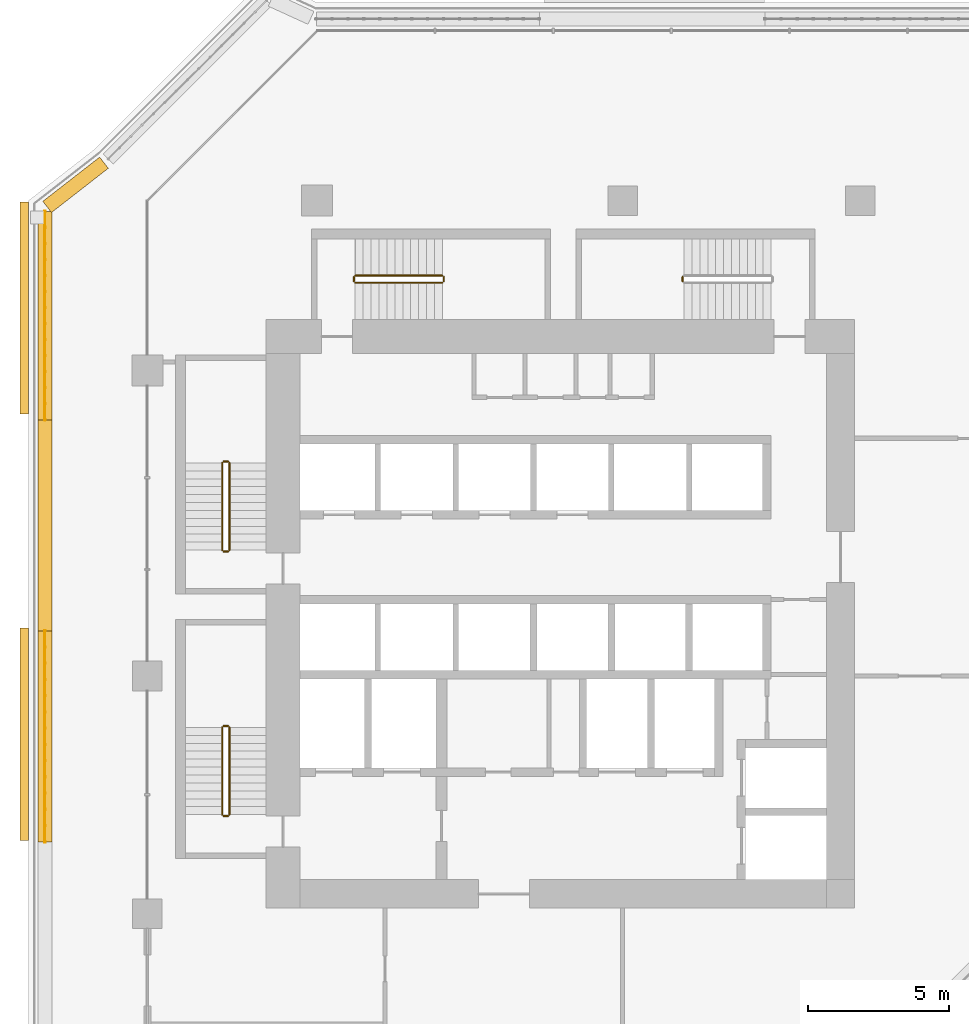
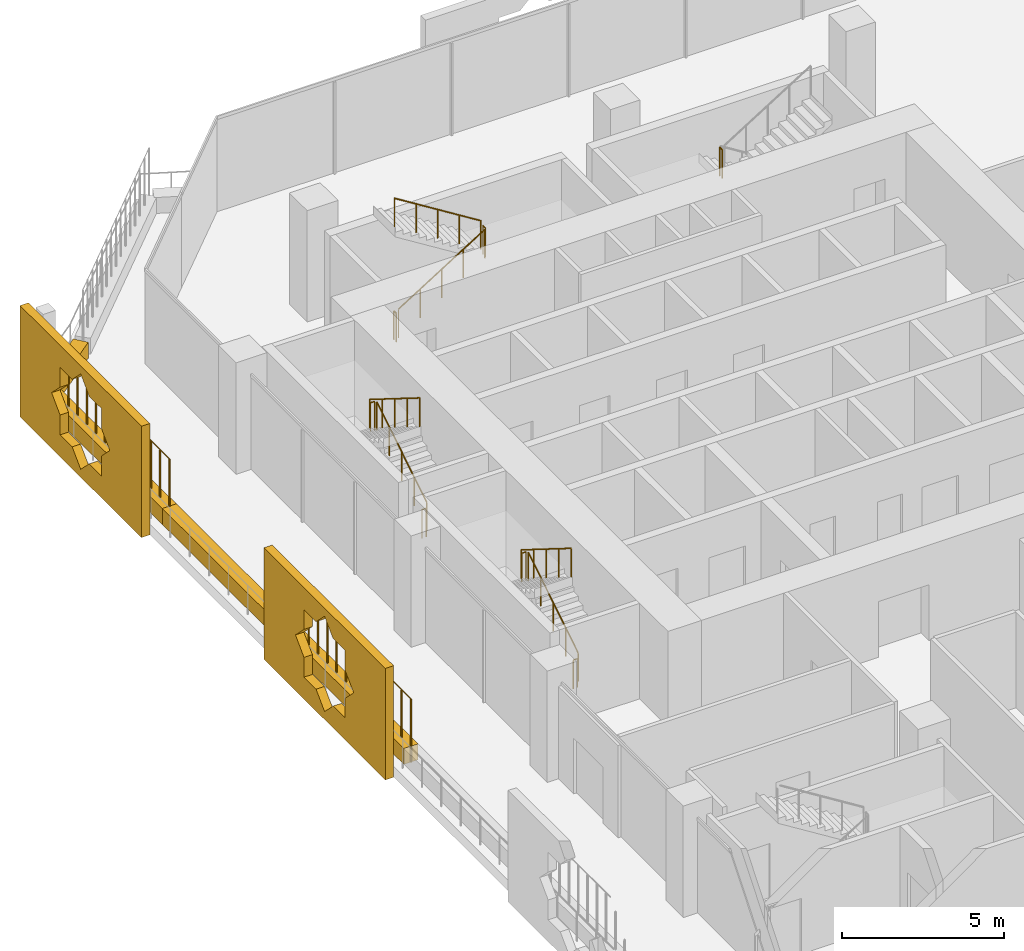
# One storey, part 22 of 27: 15 railings, 6 coverings.
"""IFC4 building model written with IfcOpenShell, lengths in metres."""

from ifc_helpers import new_model, si_unit, direction, frame, origin, origin_2d, place, context, subcontext, project, spatial, polyline, rectangle, circle, outline, extrude, material, material_profile, profile_set, type_object, element, save


model = new_model("IFC4")

# Units and contexts
model_context = context("Model", 3, precision=1e-05, world=origin(), true_north=direction((0.0, 1.0)))
body_context = subcontext(model_context, "Body", "Model", "MODEL_VIEW")
ifc_project = project(units=[si_unit("LENGTHUNIT", "METRE"), si_unit("AREAUNIT", "SQUARE_METRE"), si_unit("VOLUMEUNIT", "CUBIC_METRE"), si_unit("PLANEANGLEUNIT", "RADIAN"), si_unit("MASSUNIT", "GRAM", prefix="KILO")], contexts=[model_context])

# Site, building, storey
site_placement = place(None, origin())
site = spatial("IfcSite", under=ifc_project, at=site_placement, CompositionType="ELEMENT")
building_placement = place(site_placement, origin())
building = spatial("IfcBuilding", under=site, at=building_placement, Name="Kawkab Arch Medical Tower", CompositionType="ELEMENT")
storey_placement = place(building_placement, frame((0.0, 0.0, 115.60009765625)))
storey = spatial("IfcBuildingStorey", under=building, at=storey_placement, Name="L26", CompositionType="ELEMENT", Elevation=115.60009765625)

# Coverings
ifc_material_1 = material(Name="Bronze anodised aluminium mashrabiya panel, eight-point star pattern", Category="aluminium")
ifc_material_profile_1 = material_profile(ifc_material_1, outline(polyline([(-3.75, -2.10009765625), (3.75, -2.10009765625), (3.75, 2.10009765625), (-3.75, 2.10009765625), (-3.75, -2.10009765625)]), holes=[polyline([(1.800048828125, 0.0), (1.272705078125, 0.527099609375), (1.272705078125, 1.272705078125), (0.527099609375, 1.272705078125), (0.0, 1.800048828125), (-0.527099609375, 1.272705078125), (-1.272705078125, 1.272705078125), (-1.272705078125, 0.527099609375), (-1.800048828125, 0.0), (-1.272705078125, -0.527099609375), (-1.272705078125, -1.272705078125), (-0.527099609375, -1.272705078125), (0.0, -1.800048828125), (0.527099609375, -1.272705078125), (1.272705078125, -1.272705078125), (1.272705078125, -0.527099609375), (1.800048828125, 0.0)])]), Name="Mashrabiya panel 7500x4200")
ifc_profile_set_1 = profile_set([ifc_material_profile_1], Name="Bronze anodised aluminium mashrabiya panel, eight-point star pattern")
covering_type_1 = type_object("IfcCoveringType", Name="Mashrabiya panel 7500 x 4200", PredefinedType="USERDEFINED", material=ifc_profile_set_1)
for number, where, z_axis, x_axis, name in (
    (1, (-4.199951171875, -18.8583984375, 1.699951171875), (-1.0, 0.0, 0.0), (0.0, -1.0, 0.0), "Mashrabiya panel L26.LOG-01-01.4"),
    (2, (-4.199951171875, -3.795654296875, 1.699951171875), (-1.0, 0.0, 0.0), (0.0, -1.0, 0.0), "Mashrabiya panel L26.LOG-01-01.5"),
):
    element("IfcCovering", number, at=place(storey_placement, frame(where, z_axis=z_axis, x_axis=x_axis)), inside=storey, type_object=covering_type_1, Name=name, ObjectType="SCREEN", PredefinedType="USERDEFINED", context=body_context, shape_type="SweptSolid", body=[
        extrude(outline(polyline([(-3.75, -2.10009765625), (3.75, -2.10009765625), (3.75, 2.10009765625), (-3.75, 2.10009765625), (-3.75, -2.10009765625)]), holes=[polyline([(1.800048828125, 0.0), (1.272705078125, 0.527099609375), (1.272705078125, 1.272705078125), (0.527099609375, 1.272705078125), (0.0, 1.800048828125), (-0.527099609375, 1.272705078125), (-1.272705078125, 1.272705078125), (-1.272705078125, 0.527099609375), (-1.800048828125, 0.0), (-1.272705078125, -0.527099609375), (-1.272705078125, -1.272705078125), (-0.527099609375, -1.272705078125), (0.0, -1.800048828125), (0.527099609375, -1.272705078125), (1.272705078125, -1.272705078125), (1.272705078125, -0.527099609375), (1.800048828125, 0.0)])]), origin(), (0.0, 0.0, 1.0), 0.300048828125),
    ])
ifc_material_2 = material(Name="Planting soil in a precast trough", Category="concrete")
ifc_material_profile_2 = material_profile(ifc_material_2, rectangle(XDim=0.5, YDim=0.60009765625, at=origin_2d()), Name="Trough 500x600")
ifc_profile_set_2 = profile_set([ifc_material_profile_2], Name="Planting soil in a precast trough")
covering_type_2 = type_object("IfcCoveringType", Name="Planter trough 500 x 600", PredefinedType="USERDEFINED", material=ifc_profile_set_2)
for number, where, z_axis, x_axis, name in (
    (3, (-3.6201171875, -22.6689453125, 0.2998046875), (0.0, 1.0, 0.0), (-1.0, 0.0, 0.0), "Planter L26.LOG-01-01.11"),
    (4, (-3.6201171875, -15.20703125, 0.2998046875), (0.0, 1.0, 0.0), (-1.0, 0.0, 0.0), "Planter L26.LOG-01-01.12"),
):
    element("IfcCovering", number, at=place(storey_placement, frame(where, z_axis=z_axis, x_axis=x_axis)), inside=storey, type_object=covering_type_2, Name=name, ObjectType="PLANTER", PredefinedType="USERDEFINED", context=body_context, shape_type="SweptSolid", body=[
        extrude(rectangle(XDim=0.5, YDim=0.60009765625, at=origin_2d()), origin(), (0.0, 0.0, 1.0), 7.4619140625),
    ])
covering_1_placement = place(storey_placement, frame((-3.6201171875, -7.7451171875, 0.2998046875), z_axis=(0.0, 1.0, 0.0), x_axis=(-1.0, 0.0, 0.0)))
element("IfcCovering", 5, at=covering_1_placement, inside=storey, type_object=covering_type_2, Name="Planter L26.LOG-01-01.13", ObjectType="PLANTER", PredefinedType="USERDEFINED", context=body_context, shape_type="SweptSolid", body=[
    extrude(rectangle(XDim=0.5, YDim=0.60009765625, at=origin_2d()), origin(), (0.0, 0.0, 1.0), 7.361083984375),
])
covering_2_placement = place(storey_placement, frame((-3.541015625, -0.221923828125, 0.2998046875), z_axis=(0.789274742246, 0.61404021143, 0.0), x_axis=(-0.61404021143, 0.789274742246, 0.0)))
element("IfcCovering", 6, at=covering_2_placement, inside=storey, type_object=covering_type_2, Name="Planter L26.LOG-01-01.14", ObjectType="PLANTER", PredefinedType="USERDEFINED", context=body_context, shape_type="SweptSolid", body=[
    extrude(rectangle(XDim=0.5, YDim=0.60009765625, at=origin_2d()), origin(), (0.0, 0.0, 1.0), 2.54541015625),
])

# Railings
ifc_material_3 = material(Name="Bronze anodised aluminium trellis for climbing plants", Category="aluminium")
railing_type_1 = type_object("IfcRailingType", Name="Planting trellis 2400", PredefinedType="USERDEFINED", material=ifc_material_3)
railing_1_placement = place(storey_placement, frame((-3.6201171875, -22.6689453125, 0.0)))
element("IfcRailing", 7, at=railing_1_placement, inside=storey, type_object=railing_type_1, Name="Planting trellis L26.LOG-01-01.11", ObjectType="TRELLIS", PredefinedType="USERDEFINED", context=body_context, shape_type="SweptSolid", body=[
    extrude(circle(Radius=0.01513671875, at=origin_2d()), frame((0.0, 0.0, 2.384765625), z_axis=(0.0, 1.0, 0.0), x_axis=(-1.0, 0.0, 0.0)), (0.0, 0.0, 1.0), 7.4619140625),
    extrude(circle(Radius=0.030029296875, at=origin_2d()), origin(), (0.0, 0.0, 1.0), 2.369873046875),
    extrude(circle(Radius=0.030029296875, at=origin_2d()), frame((0.0, 0.573974609375, 0.0)), (0.0, 0.0, 1.0), 2.369873046875),
    extrude(circle(Radius=0.030029296875, at=origin_2d()), frame((0.0, 1.14794921875, 0.0)), (0.0, 0.0, 1.0), 2.369873046875),
    extrude(circle(Radius=0.030029296875, at=origin_2d()), frame((0.0, 1.721923828125, 0.0)), (0.0, 0.0, 1.0), 2.369873046875),
    extrude(circle(Radius=0.030029296875, at=origin_2d()), frame((0.0, 2.2958984375, 0.0)), (0.0, 0.0, 1.0), 2.369873046875),
    extrude(circle(Radius=0.030029296875, at=origin_2d()), frame((0.0, 2.869873046875, 0.0)), (0.0, 0.0, 1.0), 2.369873046875),
    extrude(circle(Radius=0.030029296875, at=origin_2d()), frame((0.0, 3.44384765625, 0.0)), (0.0, 0.0, 1.0), 2.369873046875),
    extrude(circle(Radius=0.030029296875, at=origin_2d()), frame((0.0, 4.01806640625, 0.0)), (0.0, 0.0, 1.0), 2.369873046875),
    extrude(circle(Radius=0.030029296875, at=origin_2d()), frame((0.0, 4.592041015625, 0.0)), (0.0, 0.0, 1.0), 2.369873046875),
    extrude(circle(Radius=0.030029296875, at=origin_2d()), frame((0.0, 5.166015625, 0.0)), (0.0, 0.0, 1.0), 2.369873046875),
    extrude(circle(Radius=0.030029296875, at=origin_2d()), frame((0.0, 5.739990234375, 0.0)), (0.0, 0.0, 1.0), 2.369873046875),
    extrude(circle(Radius=0.030029296875, at=origin_2d()), frame((0.0, 6.31396484375, 0.0)), (0.0, 0.0, 1.0), 2.369873046875),
    extrude(circle(Radius=0.030029296875, at=origin_2d()), frame((0.0, 6.887939453125, 0.0)), (0.0, 0.0, 1.0), 2.369873046875),
    extrude(circle(Radius=0.030029296875, at=origin_2d()), frame((0.0, 7.4619140625, 0.0)), (0.0, 0.0, 1.0), 2.369873046875),
])
railing_2_placement = place(storey_placement, frame((-3.6201171875, -7.7451171875, 0.0)))
element("IfcRailing", 8, at=railing_2_placement, inside=storey, type_object=railing_type_1, Name="Planting trellis L26.LOG-01-01.13", ObjectType="TRELLIS", PredefinedType="USERDEFINED", context=body_context, shape_type="SweptSolid", body=[
    extrude(circle(Radius=0.01513671875, at=origin_2d()), frame((0.0, 0.0, 2.384765625), z_axis=(0.0, 1.0, 0.0), x_axis=(-1.0, 0.0, 0.0)), (0.0, 0.0, 1.0), 7.361083984375),
    extrude(circle(Radius=0.030029296875, at=origin_2d()), origin(), (0.0, 0.0, 1.0), 2.369873046875),
    extrude(circle(Radius=0.030029296875, at=origin_2d()), frame((0.0, 0.566162109375, 0.0)), (0.0, 0.0, 1.0), 2.369873046875),
    extrude(circle(Radius=0.030029296875, at=origin_2d()), frame((0.0, 1.132568359375, 0.0)), (0.0, 0.0, 1.0), 2.369873046875),
    extrude(circle(Radius=0.030029296875, at=origin_2d()), frame((0.0, 1.69873046875, 0.0)), (0.0, 0.0, 1.0), 2.369873046875),
    extrude(circle(Radius=0.030029296875, at=origin_2d()), frame((0.0, 2.264892578125, 0.0)), (0.0, 0.0, 1.0), 2.369873046875),
    extrude(circle(Radius=0.030029296875, at=origin_2d()), frame((0.0, 2.831298828125, 0.0)), (0.0, 0.0, 1.0), 2.369873046875),
    extrude(circle(Radius=0.030029296875, at=origin_2d()), frame((0.0, 3.3974609375, 0.0)), (0.0, 0.0, 1.0), 2.369873046875),
    extrude(circle(Radius=0.030029296875, at=origin_2d()), frame((0.0, 3.963623046875, 0.0)), (0.0, 0.0, 1.0), 2.369873046875),
    extrude(circle(Radius=0.030029296875, at=origin_2d()), frame((0.0, 4.52978515625, 0.0)), (0.0, 0.0, 1.0), 2.369873046875),
    extrude(circle(Radius=0.030029296875, at=origin_2d()), frame((0.0, 5.09619140625, 0.0)), (0.0, 0.0, 1.0), 2.369873046875),
    extrude(circle(Radius=0.030029296875, at=origin_2d()), frame((0.0, 5.662353515625, 0.0)), (0.0, 0.0, 1.0), 2.369873046875),
    extrude(circle(Radius=0.030029296875, at=origin_2d()), frame((0.0, 6.228515625, 0.0)), (0.0, 0.0, 1.0), 2.369873046875),
    extrude(circle(Radius=0.030029296875, at=origin_2d()), frame((0.0, 6.794921875, 0.0)), (0.0, 0.0, 1.0), 2.369873046875),
    extrude(circle(Radius=0.030029296875, at=origin_2d()), frame((0.0, 7.361083984375, 0.0)), (0.0, 0.0, 1.0), 2.369873046875),
])
ifc_material_4 = material(Name="Stainless steel", Category="steel")
railing_type_2 = type_object("IfcRailingType", Name="Stair guard 1100", PredefinedType="GUARDRAIL", material=ifc_material_4)
railing_3_placement = place(storey_placement, frame((2.89990234375, -12.35009765625, 0.1748046875)))
element("IfcRailing", 9, at=railing_3_placement, inside=storey, type_object=railing_type_2, Name="L26 ST1 stair guard 1", PredefinedType="GUARDRAIL", context=body_context, shape_type="SweptSolid", body=[
    extrude(circle(Radius=0.02392578125, at=origin_2d()), frame((0.0, 0.0, 1.076171875), z_axis=(0.0, 0.847998304005, 0.529998940003), x_axis=(-1.0, 0.0, 0.0)), (0.0, 0.0, 1.0), 3.632080078125),
    extrude(circle(Radius=0.02099609375, at=origin_2d()), origin(), (0.0, 0.0, 1.0), 1.052001953125),
    extrude(circle(Radius=0.02099609375, at=origin_2d()), frame((0.0, 0.77001953125, 0.481201171875)), (0.0, 0.0, 1.0), 1.052001953125),
    extrude(circle(Radius=0.02099609375, at=origin_2d()), frame((0.0, 1.5400390625, 0.96240234375)), (0.0, 0.0, 1.0), 1.052001953125),
    extrude(circle(Radius=0.02099609375, at=origin_2d()), frame((0.0, 2.31005859375, 1.44384765625)), (0.0, 0.0, 1.0), 1.052001953125),
    extrude(circle(Radius=0.02099609375, at=origin_2d()), frame((0.0, 3.080078125, 1.925048828125)), (0.0, 0.0, 1.0), 1.052001953125),
])
railing_4_placement = place(storey_placement, frame((2.85009765625, -9.219970703125, 2.099853515625)))
element("IfcRailing", 10, at=railing_4_placement, inside=storey, type_object=railing_type_2, Name="L26 ST1 stair guard 2", PredefinedType="GUARDRAIL", context=body_context, shape_type="SweptSolid", body=[
    extrude(circle(Radius=0.02392578125, at=origin_2d()), frame((0.0, 0.0, 1.076171875), z_axis=(-1.0, 0.0, 0.0), x_axis=(0.0, -1.0, 0.0)), (0.0, 0.0, 1.0), 0.150146484375),
    extrude(circle(Radius=0.02099609375, at=origin_2d()), origin(), (0.0, 0.0, 1.0), 1.052001953125),
    extrude(circle(Radius=0.02099609375, at=origin_2d()), frame((-0.150146484375, 0.0, 0.0)), (0.0, 0.0, 1.0), 1.052001953125),
])
railing_5_placement = place(storey_placement, frame((2.64990234375, -9.27001953125, 2.27490234375)))
element("IfcRailing", 11, at=railing_5_placement, inside=storey, type_object=railing_type_2, Name="L26 ST1 stair guard 3", PredefinedType="GUARDRAIL", context=body_context, shape_type="SweptSolid", body=[
    extrude(circle(Radius=0.02392578125, at=origin_2d()), frame((0.0, 0.0, 1.076171875), z_axis=(0.0, -0.847998304005, 0.529998940003), x_axis=(1.0, 0.0, 0.0)), (0.0, 0.0, 1.0), 3.632080078125),
    extrude(circle(Radius=0.02099609375, at=origin_2d()), origin(), (0.0, 0.0, 1.0), 1.052001953125),
    extrude(circle(Radius=0.02099609375, at=origin_2d()), frame((0.0, -0.77001953125, 0.481201171875)), (0.0, 0.0, 1.0), 1.052001953125),
    extrude(circle(Radius=0.02099609375, at=origin_2d()), frame((0.0, -1.5400390625, 0.96240234375)), (0.0, 0.0, 1.0), 1.052001953125),
    extrude(circle(Radius=0.02099609375, at=origin_2d()), frame((0.0, -2.31005859375, 1.44384765625)), (0.0, 0.0, 1.0), 1.052001953125),
    extrude(circle(Radius=0.02099609375, at=origin_2d()), frame((0.0, -3.080078125, 1.925048828125)), (0.0, 0.0, 1.0), 1.052001953125),
])
railing_6_placement = place(storey_placement, frame((2.85009765625, -12.39990234375, 0.0)))
element("IfcRailing", 12, at=railing_6_placement, inside=storey, type_object=railing_type_2, Name="L26 ST1 stair guard 4", PredefinedType="GUARDRAIL", context=body_context, shape_type="SweptSolid", body=[
    extrude(circle(Radius=0.02392578125, at=origin_2d()), frame((0.0, 0.0, 1.076171875), z_axis=(-1.0, 0.0, 0.0), x_axis=(0.0, -1.0, 0.0)), (0.0, 0.0, 1.0), 0.150146484375),
    extrude(circle(Radius=0.02099609375, at=origin_2d()), origin(), (0.0, 0.0, 1.0), 1.052001953125),
    extrude(circle(Radius=0.02099609375, at=origin_2d()), frame((-0.150146484375, 0.0, 0.0)), (0.0, 0.0, 1.0), 1.052001953125),
])
railing_7_placement = place(storey_placement, frame((2.89990234375, -21.699951171875, 0.1748046875)))
element("IfcRailing", 13, at=railing_7_placement, inside=storey, type_object=railing_type_2, Name="L26 ST2 stair guard 1", PredefinedType="GUARDRAIL", context=body_context, shape_type="SweptSolid", body=[
    extrude(circle(Radius=0.02392578125, at=origin_2d()), frame((0.0, 0.0, 1.076171875), z_axis=(0.0, 0.847979421464, 0.530029150871), x_axis=(-1.0, 0.0, 0.0)), (0.0, 0.0, 1.0), 3.632080078125),
    extrude(circle(Radius=0.02099609375, at=origin_2d()), origin(), (0.0, 0.0, 1.0), 1.052001953125),
    extrude(circle(Radius=0.02099609375, at=origin_2d()), frame((0.0, 0.77001953125, 0.481201171875)), (0.0, 0.0, 1.0), 1.052001953125),
    extrude(circle(Radius=0.02099609375, at=origin_2d()), frame((0.0, 1.5400390625, 0.96240234375)), (0.0, 0.0, 1.0), 1.052001953125),
    extrude(circle(Radius=0.02099609375, at=origin_2d()), frame((0.0, 2.309814453125, 1.44384765625)), (0.0, 0.0, 1.0), 1.052001953125),
    extrude(circle(Radius=0.02099609375, at=origin_2d()), frame((0.0, 3.079833984375, 1.925048828125)), (0.0, 0.0, 1.0), 1.052001953125),
])
railing_8_placement = place(storey_placement, frame((2.85009765625, -18.570068359375, 2.099853515625)))
element("IfcRailing", 14, at=railing_8_placement, inside=storey, type_object=railing_type_2, Name="L26 ST2 stair guard 2", PredefinedType="GUARDRAIL", context=body_context, shape_type="SweptSolid", body=[
    extrude(circle(Radius=0.02392578125, at=origin_2d()), frame((0.0, 0.0, 1.076171875), z_axis=(-1.0, 0.0, 0.0), x_axis=(0.0, -1.0, 0.0)), (0.0, 0.0, 1.0), 0.150146484375),
    extrude(circle(Radius=0.02099609375, at=origin_2d()), origin(), (0.0, 0.0, 1.0), 1.052001953125),
    extrude(circle(Radius=0.02099609375, at=origin_2d()), frame((-0.150146484375, 0.0, 0.0)), (0.0, 0.0, 1.0), 1.052001953125),
])
railing_9_placement = place(storey_placement, frame((2.64990234375, -18.6201171875, 2.27490234375)))
element("IfcRailing", 15, at=railing_9_placement, inside=storey, type_object=railing_type_2, Name="L26 ST2 stair guard 3", PredefinedType="GUARDRAIL", context=body_context, shape_type="SweptSolid", body=[
    extrude(circle(Radius=0.02392578125, at=origin_2d()), frame((0.0, 0.0, 1.076171875), z_axis=(0.0, -0.847979421464, 0.530029150871), x_axis=(1.0, 0.0, 0.0)), (0.0, 0.0, 1.0), 3.632080078125),
    extrude(circle(Radius=0.02099609375, at=origin_2d()), origin(), (0.0, 0.0, 1.0), 1.052001953125),
    extrude(circle(Radius=0.02099609375, at=origin_2d()), frame((0.0, -0.77001953125, 0.481201171875)), (0.0, 0.0, 1.0), 1.052001953125),
    extrude(circle(Radius=0.02099609375, at=origin_2d()), frame((0.0, -1.5400390625, 0.96240234375)), (0.0, 0.0, 1.0), 1.052001953125),
    extrude(circle(Radius=0.02099609375, at=origin_2d()), frame((0.0, -2.309814453125, 1.44384765625)), (0.0, 0.0, 1.0), 1.052001953125),
    extrude(circle(Radius=0.02099609375, at=origin_2d()), frame((0.0, -3.079833984375, 1.925048828125)), (0.0, 0.0, 1.0), 1.052001953125),
])
railing_10_placement = place(storey_placement, frame((2.85009765625, -21.75, 0.0)))
element("IfcRailing", 16, at=railing_10_placement, inside=storey, type_object=railing_type_2, Name="L26 ST2 stair guard 4", PredefinedType="GUARDRAIL", context=body_context, shape_type="SweptSolid", body=[
    extrude(circle(Radius=0.02392578125, at=origin_2d()), frame((0.0, 0.0, 1.076171875), z_axis=(-1.0, 0.0, 0.0), x_axis=(0.0, -1.0, 0.0)), (0.0, 0.0, 1.0), 0.150146484375),
    extrude(circle(Radius=0.02099609375, at=origin_2d()), origin(), (0.0, 0.0, 1.0), 1.052001953125),
    extrude(circle(Radius=0.02099609375, at=origin_2d()), frame((-0.150146484375, 0.0, 0.0)), (0.0, 0.0, 1.0), 1.052001953125),
])
railing_11_placement = place(storey_placement, frame((7.35009765625, -2.89990234375, 0.1748046875)))
element("IfcRailing", 17, at=railing_11_placement, inside=storey, type_object=railing_type_2, Name="L26 ST3 stair guard 1", PredefinedType="GUARDRAIL", context=body_context, shape_type="SweptSolid", body=[
    extrude(circle(Radius=0.02392578125, at=origin_2d()), frame((0.0, 0.0, 1.076171875), z_axis=(0.847979421464, 0.0, 0.530029150871), x_axis=(0.0, 1.0, 0.0)), (0.0, 0.0, 1.0), 3.632080078125),
    extrude(circle(Radius=0.02099609375, at=origin_2d()), origin(), (0.0, 0.0, 1.0), 1.052001953125),
    extrude(circle(Radius=0.02099609375, at=origin_2d()), frame((0.77001953125, 0.0, 0.481201171875)), (0.0, 0.0, 1.0), 1.052001953125),
    extrude(circle(Radius=0.02099609375, at=origin_2d()), frame((1.5400390625, 0.0, 0.96240234375)), (0.0, 0.0, 1.0), 1.052001953125),
    extrude(circle(Radius=0.02099609375, at=origin_2d()), frame((2.309814453125, 0.0, 1.44384765625)), (0.0, 0.0, 1.0), 1.052001953125),
    extrude(circle(Radius=0.02099609375, at=origin_2d()), frame((3.079833984375, 0.0, 1.925048828125)), (0.0, 0.0, 1.0), 1.052001953125),
])
railing_12_placement = place(storey_placement, frame((10.47998046875, -2.85009765625, 2.099853515625)))
element("IfcRailing", 18, at=railing_12_placement, inside=storey, type_object=railing_type_2, Name="L26 ST3 stair guard 2", PredefinedType="GUARDRAIL", context=body_context, shape_type="SweptSolid", body=[
    extrude(circle(Radius=0.02392578125, at=origin_2d()), frame((0.0, 0.0, 1.076171875), z_axis=(0.0, 1.0, 0.0), x_axis=(-1.0, 0.0, 0.0)), (0.0, 0.0, 1.0), 0.150146484375),
    extrude(circle(Radius=0.02099609375, at=origin_2d()), origin(), (0.0, 0.0, 1.0), 1.052001953125),
    extrude(circle(Radius=0.02099609375, at=origin_2d()), frame((0.0, 0.150146484375, 0.0)), (0.0, 0.0, 1.0), 1.052001953125),
])
railing_13_placement = place(storey_placement, frame((10.429931640625, -2.64990234375, 2.27490234375)))
element("IfcRailing", 19, at=railing_13_placement, inside=storey, type_object=railing_type_2, Name="L26 ST3 stair guard 3", PredefinedType="GUARDRAIL", context=body_context, shape_type="SweptSolid", body=[
    extrude(circle(Radius=0.02392578125, at=origin_2d()), frame((0.0, 0.0, 1.076171875), z_axis=(-0.847979421464, 0.0, 0.530029150871), x_axis=(0.0, -1.0, 0.0)), (0.0, 0.0, 1.0), 3.632080078125),
    extrude(circle(Radius=0.02099609375, at=origin_2d()), origin(), (0.0, 0.0, 1.0), 1.052001953125),
    extrude(circle(Radius=0.02099609375, at=origin_2d()), frame((-0.77001953125, 0.0, 0.481201171875)), (0.0, 0.0, 1.0), 1.052001953125),
    extrude(circle(Radius=0.02099609375, at=origin_2d()), frame((-1.5400390625, 0.0, 0.96240234375)), (0.0, 0.0, 1.0), 1.052001953125),
    extrude(circle(Radius=0.02099609375, at=origin_2d()), frame((-2.309814453125, 0.0, 1.44384765625)), (0.0, 0.0, 1.0), 1.052001953125),
    extrude(circle(Radius=0.02099609375, at=origin_2d()), frame((-3.079833984375, 0.0, 1.925048828125)), (0.0, 0.0, 1.0), 1.052001953125),
])
railing_14_placement = place(storey_placement, frame((7.300048828125, -2.85009765625, 0.0)))
element("IfcRailing", 20, at=railing_14_placement, inside=storey, type_object=railing_type_2, Name="L26 ST3 stair guard 4", PredefinedType="GUARDRAIL", context=body_context, shape_type="SweptSolid", body=[
    extrude(circle(Radius=0.02392578125, at=origin_2d()), frame((0.0, 0.0, 1.076171875), z_axis=(0.0, 1.0, 0.0), x_axis=(-1.0, 0.0, 0.0)), (0.0, 0.0, 1.0), 0.150146484375),
    extrude(circle(Radius=0.02099609375, at=origin_2d()), origin(), (0.0, 0.0, 1.0), 1.052001953125),
    extrude(circle(Radius=0.02099609375, at=origin_2d()), frame((0.0, 0.150146484375, 0.0)), (0.0, 0.0, 1.0), 1.052001953125),
])
railing_15_placement = place(storey_placement, frame((18.919921875, -2.699951171875, 2.099853515625)))
element("IfcRailing", 21, at=railing_15_placement, inside=storey, type_object=railing_type_2, Name="L26 ST4 stair guard 2", PredefinedType="GUARDRAIL", context=body_context, shape_type="SweptSolid", body=[
    extrude(circle(Radius=0.02392578125, at=origin_2d()), frame((0.0, 0.0, 1.076171875), z_axis=(0.0, -1.0, 0.0), x_axis=(1.0, 0.0, 0.0)), (0.0, 0.0, 1.0), 0.150146484375),
    extrude(circle(Radius=0.02099609375, at=origin_2d()), origin(), (0.0, 0.0, 1.0), 1.052001953125),
    extrude(circle(Radius=0.02099609375, at=origin_2d()), frame((0.0, -0.150146484375, 0.0)), (0.0, 0.0, 1.0), 1.052001953125),
])

save(model, "model.ifc")
